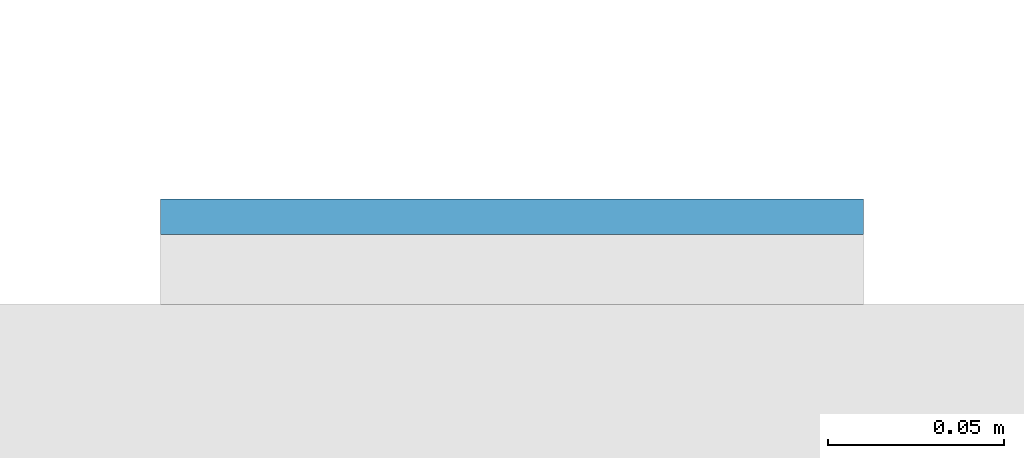
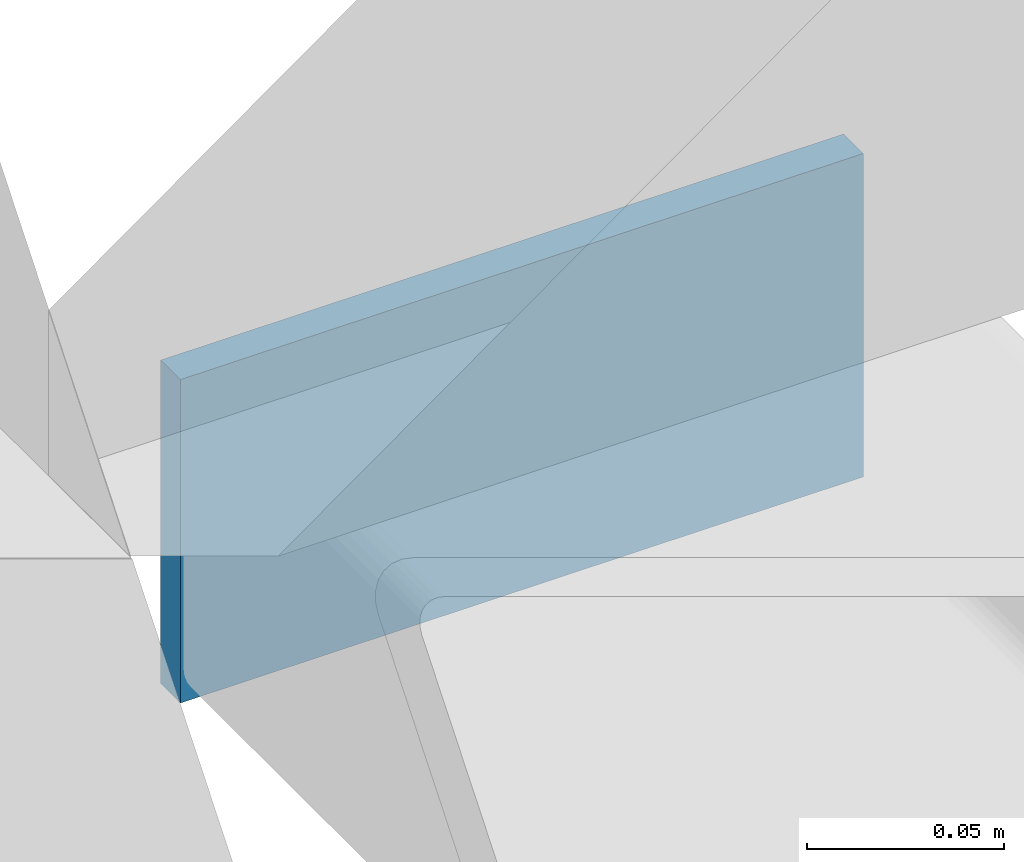
# One storey, part 6 of 12: 1 plate.
"""IFC4 building model written with IfcOpenShell, lengths in metres."""

from ifc_helpers import new_model, si_unit, direction, frame, origin, origin_2d, place, context, subcontext, project, spatial, rectangle, extrude, material, layer, layer_set, type_object, element, save


model = new_model("IFC4")

# Units and contexts
model_context = context("Model", 3, precision=1e-05, world=origin(), true_north=direction((0.0, 1.0)))
body_context = subcontext(model_context, "Body", "Model", "MODEL_VIEW")
ifc_project = project(units=[si_unit("LENGTHUNIT", "METRE"), si_unit("AREAUNIT", "SQUARE_METRE"), si_unit("VOLUMEUNIT", "CUBIC_METRE"), si_unit("PLANEANGLEUNIT", "RADIAN"), si_unit("MASSUNIT", "GRAM", prefix="KILO")], contexts=[model_context])

# Site, building, storey
site_placement = place(None, origin())
site = spatial("IfcSite", under=ifc_project, at=site_placement, CompositionType="ELEMENT")
building_placement = place(site_placement, origin())
building = spatial("IfcBuilding", under=site, at=building_placement, Name="Cleftline Residences", CompositionType="ELEMENT")
storey_placement = place(building_placement, frame((0.0, 0.0, 259.199951171875)))
storey = spatial("IfcBuildingStorey", under=building, at=storey_placement, Name="L68", CompositionType="ELEMENT", Elevation=259.199951171875)

# Plate
ifc_material = material(Name="Steel S355, hot-dip galvanised", Category="steel")
ifc_layer = layer(ifc_material, 0.010009765625)
ifc_layer_set = layer_set([ifc_layer], Name="BAGUETTE CARRIER END PLATE 200X100X10")
plate_type = type_object("IfcPlateType", Name="BAGUETTE CARRIER END PLATE 200X100X10", PredefinedType="USERDEFINED", material=ifc_layer_set)
plate_placement = place(storey_placement, frame((66.85009765625, 44.304931640625, -0.10009765625), z_axis=(0.0, 0.0, 1.0), x_axis=(1.0, 0.0, 0.0)))
element("IfcPlate", 1, at=plate_placement, inside=storey, type_object=plate_type, Name="Baguette carrier end plate", ObjectType="BAGUETTE CARRIER END PLATE", PredefinedType="USERDEFINED", context=body_context, shape_type="SweptSolid", body=[
    extrude(rectangle(XDim=0.199951171875, YDim=0.010009765625, at=origin_2d()), origin(), (0.0, 0.0, 1.0), 0.10009765625),
])

save(model, "model.ifc")
